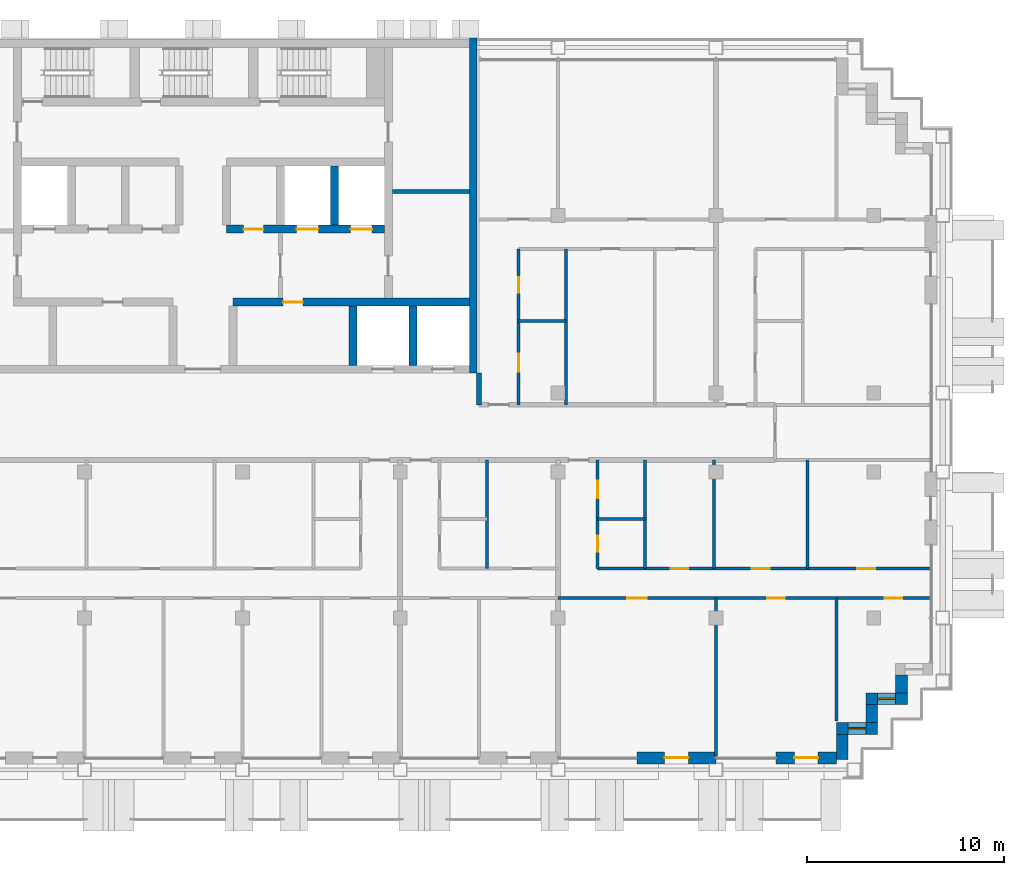
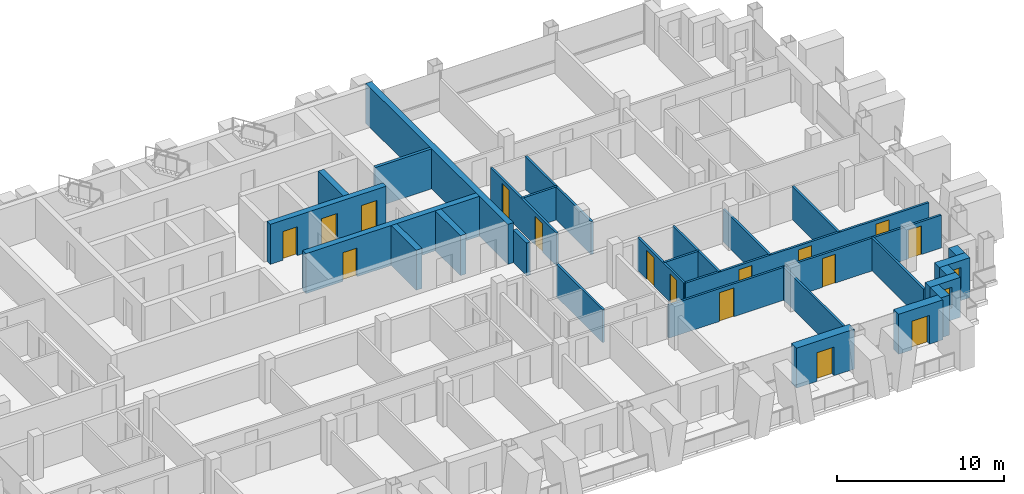
# One storey, part 10 of 16: 28 walls, 16 doors, 2 windows, 18 openings.
"""IFC4 building model written with IfcOpenShell, lengths in metres."""

from ifc_helpers import new_model, si_unit, direction, frame, frame_2d, origin, place, context, subcontext, project, spatial, rectangle, extrude, material, layer, layer_set, type_object, element, fill, save


model = new_model("IFC4")

# Units and contexts
model_context = context("Model", 3, precision=1e-05, world=origin(), true_north=direction((0.0, 1.0)))
body_context = subcontext(model_context, "Body", "Model", "MODEL_VIEW")
ifc_project = project(units=[si_unit("LENGTHUNIT", "METRE"), si_unit("AREAUNIT", "SQUARE_METRE"), si_unit("VOLUMEUNIT", "CUBIC_METRE"), si_unit("PLANEANGLEUNIT", "RADIAN"), si_unit("MASSUNIT", "GRAM", prefix="KILO")], contexts=[model_context])

# Site, building, storey
site_placement = place(None, origin())
site = spatial("IfcSite", under=ifc_project, at=site_placement, CompositionType="ELEMENT")
building_placement = place(site_placement, origin())
building = spatial("IfcBuilding", under=site, at=building_placement, Name="Vidyagriha Tower", CompositionType="ELEMENT")
storey_placement = place(building_placement, frame((0.0, 0.0, 184.5)))
storey = spatial("IfcBuildingStorey", under=building, at=storey_placement, Name="L48", CompositionType="ELEMENT", Elevation=184.5)

# Wall, opening, door
ifc_material_1 = material(Name="Precast concrete C40/50 with brick facing", Category="concrete")
ifc_layer_1 = layer(ifc_material_1, 0.60009765625)
ifc_layer_set_1 = layer_set([ifc_layer_1], Name="Precast concrete C40/50 with brick facing")
wall_type_1 = type_object("IfcWallType", Name="Brick-faced precast wall 600", PredefinedType="STANDARD", material=ifc_layer_set_1)
wall_1_placement = place(storey_placement, frame((22.0, -16.5, 0.0)))
wall_1 = element("IfcWall", 1, at=wall_1_placement, inside=storey, type_object=wall_type_1, Name="Brick door bay wall L48 R23.12", PredefinedType="STANDARD", context=body_context, shape_type="SweptSolid", body=[
    extrude(rectangle(XDim=4.0, YDim=0.60009765625, at=frame_2d((2.0, 0.0))), origin(), (0.0, 0.0, 1.0), 2.919921875),
])
opening_1_placement = place(wall_1_placement, frame((1.39990234375, 0.0, 0.0)))
opening_1 = element("IfcOpeningElement", 2, at=opening_1_placement, cuts=wall_1, Name="Opening D48-74", PredefinedType="OPENING", context=body_context, shape_type="SweptSolid", body=[
    extrude(rectangle(XDim=1.199951171875, YDim=2.10009765625, at=frame_2d((0.60009765625, 1.050048828125))), frame((0.0, 0.31005859375, 0.0), z_axis=(0.0, -1.0, 0.0), x_axis=(1.0, 0.0, 0.0)), (0.0, 0.0, 1.0), 0.6201171875),
])
ifc_material_2 = material(Name="Aluminium framed glazed sliding door", Category="aluminium")
door_type_1 = type_object("IfcDoorType", Name="Balcony sliding door 1200x2100", OperationType="NOTDEFINED", PredefinedType="DOOR", material=ifc_material_2)
door_1_placement = place(opening_1_placement, origin())
door_1 = element("IfcDoor", 3, at=door_1_placement, inside=storey, type_object=door_type_1, Name="Door D48-74", OperationType="SLIDING_TO_LEFT", OverallHeight=2.10009765625, OverallWidth=1.199951171875, PredefinedType="DOOR", context=body_context, shape_type="SweptSolid", body=[
    extrude(rectangle(XDim=1.199951171875, YDim=2.10009765625, at=frame_2d((0.60009765625, 1.050048828125))), frame((0.0, 0.02490234375, 0.0), z_axis=(0.0, -1.0, 0.0), x_axis=(1.0, 0.0, 0.0)), (0.0, 0.0, 1.0), 0.050048828125),
])
fill(opening_1, door_1)

wall_2_placement = place(storey_placement, frame((29.050048828125, -16.5, 0.0)))
wall_2 = element("IfcWall", 4, at=wall_2_placement, inside=storey, type_object=wall_type_1, Name="Brick door bay wall L48 R23.14", PredefinedType="STANDARD", context=body_context, shape_type="SweptSolid", body=[
    extrude(rectangle(XDim=3.050048828125, YDim=0.60009765625, at=frame_2d((1.52490234375, 0.0))), origin(), (0.0, 0.0, 1.0), 2.919921875),
])
opening_2_placement = place(wall_2_placement, frame((0.925048828125, 0.0, 0.0)))
opening_2 = element("IfcOpeningElement", 5, at=opening_2_placement, cuts=wall_2, Name="Opening D48-75", PredefinedType="OPENING", context=body_context, shape_type="SweptSolid", body=[
    extrude(rectangle(XDim=1.199951171875, YDim=2.10009765625, at=frame_2d((0.60009765625, 1.050048828125))), frame((0.0, 0.31005859375, 0.0), z_axis=(0.0, -1.0, 0.0), x_axis=(1.0, 0.0, 0.0)), (0.0, 0.0, 1.0), 0.6201171875),
])
door_2_placement = place(opening_2_placement, origin())
door_2 = element("IfcDoor", 6, at=door_2_placement, inside=storey, type_object=door_type_1, Name="Door D48-75", OperationType="SLIDING_TO_LEFT", OverallHeight=2.10009765625, OverallWidth=1.199951171875, PredefinedType="DOOR", context=body_context, shape_type="SweptSolid", body=[
    extrude(rectangle(XDim=1.199951171875, YDim=2.10009765625, at=frame_2d((0.60009765625, 1.050048828125))), frame((0.0, 0.02490234375, 0.0), z_axis=(0.0, -1.0, 0.0), x_axis=(1.0, 0.0, 0.0)), (0.0, 0.0, 1.0), 0.050048828125),
])
fill(opening_2, door_2)

# Wall
wall_3_placement = place(storey_placement, frame((32.39990234375, -16.580078125, 0.0), z_axis=(0.0, 0.0, 1.0), x_axis=(0.0, 1.0, 0.0)))
element("IfcWall", 7, at=wall_3_placement, inside=storey, type_object=wall_type_1, Name="Stepped corner wall L48 R24", PredefinedType="STANDARD", context=body_context, shape_type="SweptSolid", body=[
    extrude(rectangle(XDim=1.280029296875, YDim=0.60009765625, at=frame_2d((0.64013671875, 0.0))), origin(), (0.0, 0.0, 1.0), 2.919921875),
])

# Wall, opening, window
wall_4_placement = place(storey_placement, frame((32.10009765625, -15.0, 0.0)))
wall_4 = element("IfcWall", 8, at=wall_4_placement, inside=storey, type_object=wall_type_1, Name="Stepped corner wall L48 R25", PredefinedType="STANDARD", context=body_context, shape_type="SweptSolid", body=[
    extrude(rectangle(XDim=2.099853515625, YDim=0.60009765625, at=frame_2d((1.0498046875, 0.0))), origin(), (0.0, 0.0, 1.0), 2.919921875),
])
opening_3_placement = place(wall_4_placement, frame((0.60009765625, 0.0, 0.89990234375)))
opening_3 = element("IfcOpeningElement", 9, at=opening_3_placement, cuts=wall_4, Name="Opening WN1", PredefinedType="OPENING", context=body_context, shape_type="SweptSolid", body=[
    extrude(rectangle(XDim=0.89990234375, YDim=1.5, at=frame_2d((0.449951171875, 0.75))), frame((0.0, 0.31005859375, 0.0), z_axis=(0.0, -1.0, 0.0), x_axis=(1.0, 0.0, 0.0)), (0.0, 0.0, 1.0), 0.6201171875),
])
ifc_material_3 = material(Name="Aluminium and glass window", Category="aluminium")
window_type = type_object("IfcWindowType", Name="Reveal window 900x1500", PartitioningType="NOTDEFINED", PredefinedType="WINDOW", material=ifc_material_3)
window_1_placement = place(opening_3_placement, origin())
window_1 = element("IfcWindow", 10, at=window_1_placement, inside=storey, type_object=window_type, Name="Reveal window L48 R25", OverallHeight=1.5, OverallWidth=0.89990234375, PartitioningType="SINGLE_PANEL", PredefinedType="WINDOW", context=body_context, shape_type="SweptSolid", body=[
    extrude(rectangle(XDim=0.89990234375, YDim=1.5, at=frame_2d((0.449951171875, 0.75))), frame((0.0, 0.030029296875, 0.0), z_axis=(0.0, -1.0, 0.0), x_axis=(1.0, 0.0, 0.0)), (0.0, 0.0, 1.0), 0.06005859375),
])
fill(opening_3, window_1)

# Wall
wall_5_placement = place(storey_placement, frame((33.89990234375, -14.699951171875, 0.0), z_axis=(0.0, 0.0, 1.0), x_axis=(0.0, 1.0, 0.0)))
element("IfcWall", 11, at=wall_5_placement, inside=storey, type_object=wall_type_1, Name="Stepped corner wall L48 R26", PredefinedType="STANDARD", context=body_context, shape_type="SweptSolid", body=[
    extrude(rectangle(XDim=0.89990234375, YDim=0.60009765625, at=frame_2d((0.449951171875, 0.0))), origin(), (0.0, 0.0, 1.0), 2.919921875),
])

# Wall, opening, window
wall_6_placement = place(storey_placement, frame((33.60009765625, -13.5, 0.0)))
wall_6 = element("IfcWall", 12, at=wall_6_placement, inside=storey, type_object=wall_type_1, Name="Stepped corner wall L48 R27", PredefinedType="STANDARD", context=body_context, shape_type="SweptSolid", body=[
    extrude(rectangle(XDim=2.099853515625, YDim=0.60009765625, at=frame_2d((1.0498046875, 0.0))), origin(), (0.0, 0.0, 1.0), 2.919921875),
])
opening_4_placement = place(wall_6_placement, frame((0.60009765625, 0.0, 0.89990234375)))
opening_4 = element("IfcOpeningElement", 13, at=opening_4_placement, cuts=wall_6, Name="Opening WN1", PredefinedType="OPENING", context=body_context, shape_type="SweptSolid", body=[
    extrude(rectangle(XDim=0.89990234375, YDim=1.5, at=frame_2d((0.449951171875, 0.75))), frame((0.0, 0.31005859375, 0.0), z_axis=(0.0, -1.0, 0.0), x_axis=(1.0, 0.0, 0.0)), (0.0, 0.0, 1.0), 0.6201171875),
])
window_2_placement = place(opening_4_placement, origin())
window_2 = element("IfcWindow", 14, at=window_2_placement, inside=storey, type_object=window_type, Name="Reveal window L48 R27", OverallHeight=1.5, OverallWidth=0.89990234375, PartitioningType="SINGLE_PANEL", PredefinedType="WINDOW", context=body_context, shape_type="SweptSolid", body=[
    extrude(rectangle(XDim=0.89990234375, YDim=1.5, at=frame_2d((0.449951171875, 0.75))), frame((0.0, 0.030029296875, 0.0), z_axis=(0.0, -1.0, 0.0), x_axis=(1.0, 0.0, 0.0)), (0.0, 0.0, 1.0), 0.06005859375),
])
fill(opening_4, window_2)

# Walls
wall_7_placement = place(storey_placement, frame((35.39990234375, -13.199951171875, 0.0), z_axis=(0.0, 0.0, 1.0), x_axis=(0.0, 1.0, 0.0)))
element("IfcWall", 15, at=wall_7_placement, inside=storey, type_object=wall_type_1, Name="Stepped corner wall L48 R28", PredefinedType="STANDARD", context=body_context, shape_type="SweptSolid", body=[
    extrude(rectangle(XDim=0.89990234375, YDim=0.60009765625, at=frame_2d((0.449951171875, 0.0))), origin(), (0.0, 0.0, 1.0), 2.919921875),
])
ifc_material_4 = material(Name="Concrete C60/75", Category="concrete")
ifc_layer_2 = layer(ifc_material_4, 0.39990234375)
ifc_layer_set_2 = layer_set([ifc_layer_2], Name="Concrete C60/75")
wall_type_2 = type_object("IfcWallType", Name="Core shear wall 400 mm", PredefinedType="SHEAR", material=ifc_layer_set_2)
wall_8_placement = place(storey_placement, frame((13.699951171875, 3.0, 0.0), z_axis=(0.0, 0.0, 1.0), x_axis=(0.0, 1.0, 0.0)))
element("IfcWall", 16, at=wall_8_placement, inside=storey, type_object=wall_type_2, Name="Core east wall", PredefinedType="SHEAR", context=body_context, shape_type="SweptSolid", body=[
    extrude(rectangle(XDim=17.0, YDim=0.39990234375, at=frame_2d((8.5, 0.0))), origin(), (0.0, 0.0, 1.0), 2.919921875),
])

# Wall, opening, door
wall_9_placement = place(storey_placement, frame((1.522216796875, 6.60009765625, 0.0)))
wall_9 = element("IfcWall", 17, at=wall_9_placement, inside=storey, type_object=wall_type_2, Name="Core lobby south wall east", PredefinedType="SHEAR", context=body_context, shape_type="SweptSolid", body=[
    extrude(rectangle(XDim=11.977783203125, YDim=0.39990234375, at=frame_2d((5.98876953125, 0.0))), origin(), (0.0, 0.0, 1.0), 2.919921875),
])
opening_5_placement = place(wall_9_placement, frame((2.54443359375, 0.0, 0.0)))
opening_5 = element("IfcOpeningElement", 18, at=opening_5_placement, cuts=wall_9, Name="Opening D48-03", PredefinedType="OPENING", context=body_context, shape_type="SweptSolid", body=[
    extrude(rectangle(XDim=1.0, YDim=2.10009765625, at=frame_2d((0.5, 1.050048828125))), frame((0.0, 0.2099609375, 0.0), z_axis=(0.0, -1.0, 0.0), x_axis=(1.0, 0.0, 0.0)), (0.0, 0.0, 1.0), 0.419921875),
])
ifc_material_5 = material(Name="Hollow metal door leaf")
door_type_2 = type_object("IfcDoorType", Name="Core room door 1000 x 2100 mm EI 60", OperationType="NOTDEFINED", PredefinedType="DOOR", material=ifc_material_5)
door_3_placement = place(opening_5_placement, origin())
door_3 = element("IfcDoor", 19, at=door_3_placement, inside=storey, type_object=door_type_2, Name="Door Mechanical Riser Room 48.02", OperationType="SINGLE_SWING_RIGHT", OverallHeight=2.10009765625, OverallWidth=1.0, PredefinedType="DOOR", context=body_context, shape_type="SweptSolid", body=[
    extrude(rectangle(XDim=1.0, YDim=2.10009765625, at=frame_2d((0.5, 1.050048828125))), frame((0.0, 0.02490234375, 0.0), z_axis=(0.0, -1.0, 0.0), x_axis=(1.0, 0.0, 0.0)), (0.0, 0.0, 1.0), 0.050048828125),
])
fill(opening_5, door_3)

# Walls
for number, where, z_axis, x_axis, name in (
    (20, (7.611083984375, 3.39990234375, 0.0), (0.0, 0.0, 1.0), (0.0, 1.0, 0.0), "Core bay wall S7"),
    (21, (10.655517578125, 3.39990234375, 0.0), (0.0, 0.0, 1.0), (0.0, 1.0, 0.0), "Core bay wall S8"),
):
    element("IfcWall", number, at=place(storey_placement, frame(where, z_axis=z_axis, x_axis=x_axis)), inside=storey, type_object=wall_type_2, Name=name, PredefinedType="SHEAR", context=body_context, shape_type="SweptSolid", body=[
        extrude(rectangle(XDim=3.0, YDim=0.39990234375, at=frame_2d((1.5, 0.0))), origin(), (0.0, 0.0, 1.0), 2.919921875),
    ])

# Wall, openings, doors
wall_10_placement = place(storey_placement, frame((1.199951171875, 10.300048828125, 0.0)))
wall_10 = element("IfcWall", 22, at=wall_10_placement, inside=storey, type_object=wall_type_2, Name="Core row N front wall", PredefinedType="SHEAR", context=body_context, shape_type="SweptSolid", body=[
    extrude(rectangle(XDim=8.0, YDim=0.39990234375, at=frame_2d((4.0, 0.0))), origin(), (0.0, 0.0, 1.0), 2.919921875),
])
opening_6_placement = place(wall_10_placement, frame((3.550048828125, 0.0, 0.0)))
opening_6 = element("IfcOpeningElement", 23, at=opening_6_placement, cuts=wall_10, Name="Opening LD48-04", PredefinedType="OPENING", context=body_context, shape_type="SweptSolid", body=[
    extrude(rectangle(XDim=1.10009765625, YDim=2.10009765625, at=frame_2d((0.550048828125, 1.050048828125))), frame((0.0, 0.2099609375, 0.0), z_axis=(0.0, -1.0, 0.0), x_axis=(1.0, 0.0, 0.0)), (0.0, 0.0, 1.0), 0.419921875),
])
opening_7_placement = place(wall_10_placement, frame((6.283203125, 0.0, 0.0)))
opening_7 = element("IfcOpeningElement", 24, at=opening_7_placement, cuts=wall_10, Name="Opening LD48-05", PredefinedType="OPENING", context=body_context, shape_type="SweptSolid", body=[
    extrude(rectangle(XDim=1.10009765625, YDim=2.10009765625, at=frame_2d((0.550048828125, 1.050048828125))), frame((0.0, 0.2099609375, 0.0), z_axis=(0.0, -1.0, 0.0), x_axis=(1.0, 0.0, 0.0)), (0.0, 0.0, 1.0), 0.419921875),
])
opening_8_placement = place(wall_10_placement, frame((0.86669921875, 0.0, 0.0)))
opening_8 = element("IfcOpeningElement", 25, at=opening_8_placement, cuts=wall_10, Name="Opening D48-06", PredefinedType="OPENING", context=body_context, shape_type="SweptSolid", body=[
    extrude(rectangle(XDim=1.0, YDim=2.10009765625, at=frame_2d((0.5, 1.050048828125))), frame((0.0, 0.2099609375, 0.0), z_axis=(0.0, -1.0, 0.0), x_axis=(1.0, 0.0, 0.0)), (0.0, 0.0, 1.0), 0.419921875),
])
door_4_placement = place(opening_8_placement, frame((1.0, 0.0, 0.0), z_axis=(0.0, 0.0, 1.0), x_axis=(-1.0, 0.0, 0.0)))
door_4 = element("IfcDoor", 26, at=door_4_placement, inside=storey, type_object=door_type_2, Name="Door Mechanical Riser Room 48.16", OperationType="SINGLE_SWING_LEFT", OverallHeight=2.10009765625, OverallWidth=1.0, PredefinedType="DOOR", context=body_context, shape_type="SweptSolid", body=[
    extrude(rectangle(XDim=1.0, YDim=2.10009765625, at=frame_2d((0.5, 1.050048828125))), frame((0.0, 0.02490234375, 0.0), z_axis=(0.0, -1.0, 0.0), x_axis=(1.0, 0.0, 0.0)), (0.0, 0.0, 1.0), 0.050048828125),
])
fill(opening_8, door_4)
ifc_material_6 = material(Name="Stainless steel sliding door panel", Category="steel")
door_type_3 = type_object("IfcDoorType", Name="Lift landing door 1100 x 2100 mm EI 90", OperationType="NOTDEFINED", PredefinedType="DOOR", material=ifc_material_6)
door_5_placement = place(opening_6_placement, origin())
door_5 = element("IfcDoor", 27, at=door_5_placement, inside=storey, type_object=door_type_3, Name="Landing door FF1 L48", OperationType="SLIDING_TO_LEFT", OverallHeight=2.10009765625, OverallWidth=1.10009765625, PredefinedType="DOOR", context=body_context, shape_type="SweptSolid", body=[
    extrude(rectangle(XDim=1.10009765625, YDim=2.10009765625, at=frame_2d((0.550048828125, 1.050048828125))), frame((0.0, 0.02490234375, 0.0), z_axis=(0.0, -1.0, 0.0), x_axis=(1.0, 0.0, 0.0)), (0.0, 0.0, 1.0), 0.050048828125),
])
fill(opening_6, door_5)
door_6_placement = place(opening_7_placement, origin())
door_6 = element("IfcDoor", 28, at=door_6_placement, inside=storey, type_object=door_type_3, Name="Landing door FF2 L48", OperationType="SLIDING_TO_LEFT", OverallHeight=2.10009765625, OverallWidth=1.10009765625, PredefinedType="DOOR", context=body_context, shape_type="SweptSolid", body=[
    extrude(rectangle(XDim=1.10009765625, YDim=2.10009765625, at=frame_2d((0.550048828125, 1.050048828125))), frame((0.0, 0.02490234375, 0.0), z_axis=(0.0, -1.0, 0.0), x_axis=(1.0, 0.0, 0.0)), (0.0, 0.0, 1.0), 0.050048828125),
])
fill(opening_7, door_6)

# Walls
wall_11_placement = place(storey_placement, frame((6.666748046875, 10.5, 0.0), z_axis=(0.0, 0.0, 1.0), x_axis=(0.0, 1.0, 0.0)))
element("IfcWall", 29, at=wall_11_placement, inside=storey, type_object=wall_type_2, Name="Core bay wall N6", PredefinedType="SHEAR", context=body_context, shape_type="SweptSolid", body=[
    extrude(rectangle(XDim=3.0, YDim=0.39990234375, at=frame_2d((1.5, 0.0))), origin(), (0.0, 0.0, 1.0), 2.919921875),
])
ifc_material_7 = material(Name="Fired clay brick masonry", Category="masonry")
ifc_layer_3 = layer(ifc_material_7, 0.25)
ifc_layer_set_3 = layer_set([ifc_layer_3], Name="Fired clay brick masonry")
wall_type_3 = type_object("IfcWallType", Name="Fired clay brick corridor wall 250", PredefinedType="PARTITIONING", material=ifc_layer_set_3)
wall_12_placement = place(storey_placement, frame((14.0, 1.39990234375, 0.0), z_axis=(0.0, 0.0, 1.0), x_axis=(0.0, 1.0, 0.0)))
element("IfcWall", 30, at=wall_12_placement, inside=storey, type_object=wall_type_3, Name="Wall all-L48-w117", PredefinedType="PARTITIONING", context=body_context, shape_type="SweptSolid", body=[
    extrude(rectangle(XDim=1.60009765625, YDim=0.25, at=frame_2d((0.800048828125, 0.0))), origin(), (0.0, 0.0, 1.0), 2.39990234375),
])
ifc_material_8 = material(Name="Gypsum board partition")
ifc_layer_4 = layer(ifc_material_8, 0.14990234375)
ifc_layer_set_4 = layer_set([ifc_layer_4], Name="Gypsum board partition")
wall_type_4 = type_object("IfcWallType", Name="Gypsum board partition 150", PredefinedType="PARTITIONING", material=ifc_layer_set_4)
wall_13_placement = place(storey_placement, frame((14.39990234375, -1.39990234375, 0.0), z_axis=(0.0, 0.0, 1.0), x_axis=(0.0, -1.0, 0.0)))
element("IfcWall", 31, at=wall_13_placement, inside=storey, type_object=wall_type_4, Name="Wall all-L48-w040", PredefinedType="PARTITIONING", context=body_context, shape_type="SweptSolid", body=[
    extrude(rectangle(XDim=5.5, YDim=0.14990234375, at=frame_2d((2.75, 0.0))), origin(), (0.0, 0.0, 1.0), 2.39990234375),
])
wall_14_placement = place(storey_placement, frame((22.39990234375, -4.39990234375, 0.0), z_axis=(0.0, 0.0, 1.0), x_axis=(-1.0, 0.0, 0.0)))
element("IfcWall", 32, at=wall_14_placement, inside=storey, type_object=wall_type_4, Name="Wall all-L48-w052", PredefinedType="PARTITIONING", context=body_context, shape_type="SweptSolid", body=[
    extrude(rectangle(XDim=2.39990234375, YDim=0.14990234375, at=frame_2d((1.199951171875, 0.0))), origin(), (0.0, 0.0, 1.0), 2.39990234375),
])
for number, where, z_axis, x_axis, name in (
    (33, (22.39990234375, -1.39990234375, 0.0), (0.0, 0.0, 1.0), (0.0, -1.0, 0.0), "Wall all-L48-w053"),
    (34, (25.89990234375, -1.39990234375, 0.0), (0.0, 0.0, 1.0), (0.0, -1.0, 0.0), "Wall all-L48-w054"),
    (35, (30.64990234375, -1.39990234375, 0.0), (0.0, 0.0, 1.0), (0.0, -1.0, 0.0), "Wall all-L48-w055"),
):
    element("IfcWall", number, at=place(storey_placement, frame(where, z_axis=z_axis, x_axis=x_axis)), inside=storey, type_object=wall_type_4, Name=name, PredefinedType="PARTITIONING", context=body_context, shape_type="SweptSolid", body=[
        extrude(rectangle(XDim=5.5, YDim=0.14990234375, at=frame_2d((2.75, 0.0))), origin(), (0.0, 0.0, 1.0), 2.39990234375),
    ])

# Wall, openings, doors
wall_15_placement = place(storey_placement, frame((20.0, -6.89990234375, 0.0)))
wall_15 = element("IfcWall", 36, at=wall_15_placement, inside=storey, type_object=wall_type_4, Name="Wall all-L48-w056", PredefinedType="PARTITIONING", context=body_context, shape_type="SweptSolid", body=[
    extrude(rectangle(XDim=16.820068359375, YDim=0.14990234375, at=frame_2d((8.41015625, 0.0))), origin(), (0.0, 0.0, 1.0), 2.39990234375),
])
opening_9_placement = place(wall_15_placement, frame((3.699951171875, 0.0, 0.0)))
opening_9 = element("IfcOpeningElement", 37, at=opening_9_placement, cuts=wall_15, Name="Opening D48-40", PredefinedType="OPENING", context=body_context, shape_type="SweptSolid", body=[
    extrude(rectangle(XDim=0.89990234375, YDim=2.10009765625, at=frame_2d((0.449951171875, 1.050048828125))), frame((0.0, 0.0849609375, 0.0), z_axis=(0.0, -1.0, 0.0), x_axis=(1.0, 0.0, 0.0)), (0.0, 0.0, 1.0), 0.169921875),
])
opening_10_placement = place(wall_15_placement, frame((7.824951171875, 0.0, 0.0)))
opening_10 = element("IfcOpeningElement", 38, at=opening_10_placement, cuts=wall_15, Name="Opening D48-41", PredefinedType="OPENING", context=body_context, shape_type="SweptSolid", body=[
    extrude(rectangle(XDim=0.89990234375, YDim=2.10009765625, at=frame_2d((0.449951171875, 1.050048828125))), frame((0.0, 0.0849609375, 0.0), z_axis=(0.0, -1.0, 0.0), x_axis=(1.0, 0.0, 0.0)), (0.0, 0.0, 1.0), 0.169921875),
])
opening_11_placement = place(wall_15_placement, frame((13.175048828125, 0.0, 0.0)))
opening_11 = element("IfcOpeningElement", 39, at=opening_11_placement, cuts=wall_15, Name="Opening D48-42", PredefinedType="OPENING", context=body_context, shape_type="SweptSolid", body=[
    extrude(rectangle(XDim=0.89990234375, YDim=2.10009765625, at=frame_2d((0.449951171875, 1.050048828125))), frame((0.0, 0.0849609375, 0.0), z_axis=(0.0, -1.0, 0.0), x_axis=(1.0, 0.0, 0.0)), (0.0, 0.0, 1.0), 0.169921875),
])
ifc_material_9 = material(Name="Timber door leaf", Category="wood")
door_type_4 = type_object("IfcDoorType", Name="Room door 900x2100", OperationType="NOTDEFINED", PredefinedType="DOOR", material=ifc_material_9)
door_7_placement = place(opening_9_placement, origin())
door_7 = element("IfcDoor", 40, at=door_7_placement, inside=storey, type_object=door_type_4, Name="Door D48-40", OperationType="SINGLE_SWING_RIGHT", OverallHeight=2.10009765625, OverallWidth=0.89990234375, PredefinedType="DOOR", context=body_context, shape_type="SweptSolid", body=[
    extrude(rectangle(XDim=0.89990234375, YDim=2.10009765625, at=frame_2d((0.449951171875, 1.050048828125))), frame((0.0, 0.02490234375, 0.0), z_axis=(0.0, -1.0, 0.0), x_axis=(1.0, 0.0, 0.0)), (0.0, 0.0, 1.0), 0.050048828125),
])
fill(opening_9, door_7)
door_8_placement = place(opening_10_placement, origin())
door_8 = element("IfcDoor", 41, at=door_8_placement, inside=storey, type_object=door_type_4, Name="Door D48-41", OperationType="SINGLE_SWING_RIGHT", OverallHeight=2.10009765625, OverallWidth=0.89990234375, PredefinedType="DOOR", context=body_context, shape_type="SweptSolid", body=[
    extrude(rectangle(XDim=0.89990234375, YDim=2.10009765625, at=frame_2d((0.449951171875, 1.050048828125))), frame((0.0, 0.02490234375, 0.0), z_axis=(0.0, -1.0, 0.0), x_axis=(1.0, 0.0, 0.0)), (0.0, 0.0, 1.0), 0.050048828125),
])
fill(opening_10, door_8)
door_9_placement = place(opening_11_placement, origin())
door_9 = element("IfcDoor", 42, at=door_9_placement, inside=storey, type_object=door_type_4, Name="Door D48-42", OperationType="SINGLE_SWING_RIGHT", OverallHeight=2.10009765625, OverallWidth=0.89990234375, PredefinedType="DOOR", context=body_context, shape_type="SweptSolid", body=[
    extrude(rectangle(XDim=0.89990234375, YDim=2.10009765625, at=frame_2d((0.449951171875, 1.050048828125))), frame((0.0, 0.02490234375, 0.0), z_axis=(0.0, -1.0, 0.0), x_axis=(1.0, 0.0, 0.0)), (0.0, 0.0, 1.0), 0.050048828125),
])
fill(opening_11, door_9)

wall_16_placement = place(storey_placement, frame((36.820068359375, -8.39990234375, 0.0), z_axis=(0.0, 0.0, 1.0), x_axis=(-1.0, 0.0, 0.0)))
wall_16 = element("IfcWall", 43, at=wall_16_placement, inside=storey, type_object=wall_type_4, Name="Wall all-L48-w060", PredefinedType="PARTITIONING", context=body_context, shape_type="SweptSolid", body=[
    extrude(rectangle(XDim=18.820068359375, YDim=0.14990234375, at=frame_2d((9.41015625, 0.0))), origin(), (0.0, 0.0, 1.0), 2.39990234375),
])
opening_12_placement = place(wall_16_placement, frame((14.320068359375, 0.0, 0.0)))
opening_12 = element("IfcOpeningElement", 44, at=opening_12_placement, cuts=wall_16, Name="Opening D48-43", PredefinedType="OPENING", context=body_context, shape_type="SweptSolid", body=[
    extrude(rectangle(XDim=1.0, YDim=2.10009765625, at=frame_2d((0.5, 1.050048828125))), frame((0.0, 0.0849609375, 0.0), z_axis=(0.0, -1.0, 0.0), x_axis=(1.0, 0.0, 0.0)), (0.0, 0.0, 1.0), 0.169921875),
])
opening_13_placement = place(wall_16_placement, frame((7.320068359375, 0.0, 0.0)))
opening_13 = element("IfcOpeningElement", 45, at=opening_13_placement, cuts=wall_16, Name="Opening D48-44", PredefinedType="OPENING", context=body_context, shape_type="SweptSolid", body=[
    extrude(rectangle(XDim=0.89990234375, YDim=2.10009765625, at=frame_2d((0.449951171875, 1.050048828125))), frame((0.0, 0.0849609375, 0.0), z_axis=(0.0, -1.0, 0.0), x_axis=(1.0, 0.0, 0.0)), (0.0, 0.0, 1.0), 0.169921875),
])
opening_14_placement = place(wall_16_placement, frame((1.373046875, 0.0, 0.0)))
opening_14 = element("IfcOpeningElement", 46, at=opening_14_placement, cuts=wall_16, Name="Opening D48-45", PredefinedType="OPENING", context=body_context, shape_type="SweptSolid", body=[
    extrude(rectangle(XDim=0.89990234375, YDim=2.10009765625, at=frame_2d((0.449951171875, 1.050048828125))), frame((0.0, 0.0849609375, 0.0), z_axis=(0.0, -1.0, 0.0), x_axis=(1.0, 0.0, 0.0)), (0.0, 0.0, 1.0), 0.169921875),
])
ifc_material_10 = material(Name="Timber door leaf", Category="wood")
door_type_5 = type_object("IfcDoorType", Name="Room door 1000x2100", OperationType="NOTDEFINED", PredefinedType="DOOR", material=ifc_material_10)
door_10_placement = place(opening_12_placement, origin())
door_10 = element("IfcDoor", 47, at=door_10_placement, inside=storey, type_object=door_type_5, Name="Door D48-43", OperationType="SINGLE_SWING_RIGHT", OverallHeight=2.10009765625, OverallWidth=1.0, PredefinedType="DOOR", context=body_context, shape_type="SweptSolid", body=[
    extrude(rectangle(XDim=1.0, YDim=2.10009765625, at=frame_2d((0.5, 1.050048828125))), frame((0.0, 0.02490234375, 0.0), z_axis=(0.0, -1.0, 0.0), x_axis=(1.0, 0.0, 0.0)), (0.0, 0.0, 1.0), 0.050048828125),
])
fill(opening_12, door_10)
door_11_placement = place(opening_13_placement, origin())
door_11 = element("IfcDoor", 48, at=door_11_placement, inside=storey, type_object=door_type_4, Name="Door D48-44", OperationType="SINGLE_SWING_RIGHT", OverallHeight=2.10009765625, OverallWidth=0.89990234375, PredefinedType="DOOR", context=body_context, shape_type="SweptSolid", body=[
    extrude(rectangle(XDim=0.89990234375, YDim=2.10009765625, at=frame_2d((0.449951171875, 1.050048828125))), frame((0.0, 0.02490234375, 0.0), z_axis=(0.0, -1.0, 0.0), x_axis=(1.0, 0.0, 0.0)), (0.0, 0.0, 1.0), 0.050048828125),
])
fill(opening_13, door_11)
door_12_placement = place(opening_14_placement, origin())
door_12 = element("IfcDoor", 49, at=door_12_placement, inside=storey, type_object=door_type_4, Name="Door D48-45", OperationType="SINGLE_SWING_LEFT", OverallHeight=2.10009765625, OverallWidth=0.89990234375, PredefinedType="DOOR", context=body_context, shape_type="SweptSolid", body=[
    extrude(rectangle(XDim=0.89990234375, YDim=2.10009765625, at=frame_2d((0.449951171875, 1.050048828125))), frame((0.0, 0.02490234375, 0.0), z_axis=(0.0, -1.0, 0.0), x_axis=(1.0, 0.0, 0.0)), (0.0, 0.0, 1.0), 0.050048828125),
])
fill(opening_14, door_12)

# Walls
wall_17_placement = place(storey_placement, frame((26.0, -8.39990234375, 0.0), z_axis=(0.0, 0.0, 1.0), x_axis=(0.0, -1.0, 0.0)))
element("IfcWall", 50, at=wall_17_placement, inside=storey, type_object=wall_type_4, Name="Wall all-L48-w064", PredefinedType="PARTITIONING", context=body_context, shape_type="SweptSolid", body=[
    extrude(rectangle(XDim=8.010009765625, YDim=0.14990234375, at=frame_2d((4.0048828125, 0.0))), origin(), (0.0, 0.0, 1.0), 2.39990234375),
])
wall_18_placement = place(storey_placement, frame((32.10009765625, -8.39990234375, 0.0), z_axis=(0.0, 0.0, 1.0), x_axis=(0.0, -1.0, 0.0)))
element("IfcWall", 51, at=wall_18_placement, inside=storey, type_object=wall_type_4, Name="Wall all-L48-w065", PredefinedType="PARTITIONING", context=body_context, shape_type="SweptSolid", body=[
    extrude(rectangle(XDim=6.22021484375, YDim=0.14990234375, at=frame_2d((3.110107421875, 0.0))), origin(), (0.0, 0.0, 1.0), 2.39990234375),
])
wall_19_placement = place(storey_placement, frame((16.0, 5.64990234375, 0.0)))
element("IfcWall", 52, at=wall_19_placement, inside=storey, type_object=wall_type_4, Name="Wall all-L48-w087", PredefinedType="PARTITIONING", context=body_context, shape_type="SweptSolid", body=[
    extrude(rectangle(XDim=2.39990234375, YDim=0.14990234375, at=frame_2d((1.199951171875, 0.0))), origin(), (0.0, 0.0, 1.0), 2.39990234375),
])
wall_20_placement = place(storey_placement, frame((18.39990234375, 9.300048828125, 0.0), z_axis=(0.0, 0.0, 1.0), x_axis=(0.0, -1.0, 0.0)))
element("IfcWall", 53, at=wall_20_placement, inside=storey, type_object=wall_type_4, Name="Wall all-L48-w088", PredefinedType="PARTITIONING", context=body_context, shape_type="SweptSolid", body=[
    extrude(rectangle(XDim=7.900146484375, YDim=0.14990234375, at=frame_2d((3.9501953125, 0.0))), origin(), (0.0, 0.0, 1.0), 2.39990234375),
])

# Wall, openings, doors
ifc_material_11 = material(Name="Moisture resistant gypsum board partition")
ifc_layer_5 = layer(ifc_material_11, 0.14990234375)
ifc_layer_set_5 = layer_set([ifc_layer_5], Name="Moisture resistant gypsum board partition")
wall_type_5 = type_object("IfcWallType", Name="Gypsum board wet-area partition 150", PredefinedType="PARTITIONING", material=ifc_layer_set_5)
wall_21_placement = place(storey_placement, frame((20.0, -1.39990234375, 0.0), z_axis=(0.0, 0.0, 1.0), x_axis=(0.0, -1.0, 0.0)))
wall_21 = element("IfcWall", 54, at=wall_21_placement, inside=storey, type_object=wall_type_5, Name="Wall all-L48-w049", PredefinedType="PARTITIONING", context=body_context, shape_type="SweptSolid", body=[
    extrude(rectangle(XDim=5.5, YDim=0.14990234375, at=frame_2d((2.75, 0.0))), origin(), (0.0, 0.0, 1.0), 2.39990234375),
])
opening_15_placement = place(wall_21_placement, frame((1.050048828125, 0.0, 0.0)))
opening_15 = element("IfcOpeningElement", 55, at=opening_15_placement, cuts=wall_21, Name="Opening D48-38", PredefinedType="OPENING", context=body_context, shape_type="SweptSolid", body=[
    extrude(rectangle(XDim=0.89990234375, YDim=2.10009765625, at=frame_2d((0.449951171875, 1.050048828125))), frame((0.0, 0.0849609375, 0.0), z_axis=(0.0, -1.0, 0.0), x_axis=(1.0, 0.0, 0.0)), (0.0, 0.0, 1.0), 0.169921875),
])
opening_16_placement = place(wall_21_placement, frame((3.85009765625, 0.0, 0.0)))
opening_16 = element("IfcOpeningElement", 56, at=opening_16_placement, cuts=wall_21, Name="Opening D48-39", PredefinedType="OPENING", context=body_context, shape_type="SweptSolid", body=[
    extrude(rectangle(XDim=0.800048828125, YDim=2.10009765625, at=frame_2d((0.39990234375, 1.050048828125))), frame((0.0, 0.0849609375, 0.0), z_axis=(0.0, -1.0, 0.0), x_axis=(1.0, 0.0, 0.0)), (0.0, 0.0, 1.0), 0.169921875),
])
ifc_material_12 = material(Name="Timber door leaf", Category="wood")
door_type_6 = type_object("IfcDoorType", Name="Bathroom door 800x2100", OperationType="NOTDEFINED", PredefinedType="DOOR", material=ifc_material_12)
door_13_placement = place(opening_16_placement, origin())
door_13 = element("IfcDoor", 57, at=door_13_placement, inside=storey, type_object=door_type_6, Name="Door D48-39", OperationType="SINGLE_SWING_RIGHT", OverallHeight=2.10009765625, OverallWidth=0.800048828125, PredefinedType="DOOR", context=body_context, shape_type="SweptSolid", body=[
    extrude(rectangle(XDim=0.800048828125, YDim=2.10009765625, at=frame_2d((0.39990234375, 1.050048828125))), frame((0.0, 0.02490234375, 0.0), z_axis=(0.0, -1.0, 0.0), x_axis=(1.0, 0.0, 0.0)), (0.0, 0.0, 1.0), 0.050048828125),
])
fill(opening_16, door_13)
ifc_material_13 = material(Name="Timber door leaf", Category="wood")
door_type_7 = type_object("IfcDoorType", Name="Kitchen door 900x2100", OperationType="NOTDEFINED", PredefinedType="DOOR", material=ifc_material_13)
door_14_placement = place(opening_15_placement, origin())
door_14 = element("IfcDoor", 58, at=door_14_placement, inside=storey, type_object=door_type_7, Name="Door D48-38", OperationType="SINGLE_SWING_LEFT", OverallHeight=2.10009765625, OverallWidth=0.89990234375, PredefinedType="DOOR", context=body_context, shape_type="SweptSolid", body=[
    extrude(rectangle(XDim=0.89990234375, YDim=2.10009765625, at=frame_2d((0.449951171875, 1.050048828125))), frame((0.0, 0.02490234375, 0.0), z_axis=(0.0, -1.0, 0.0), x_axis=(1.0, 0.0, 0.0)), (0.0, 0.0, 1.0), 0.050048828125),
])
fill(opening_15, door_14)

wall_22_placement = place(storey_placement, frame((16.0, 9.300048828125, 0.0), z_axis=(0.0, 0.0, 1.0), x_axis=(0.0, -1.0, 0.0)))
wall_22 = element("IfcWall", 59, at=wall_22_placement, inside=storey, type_object=wall_type_5, Name="Wall all-L48-w084", PredefinedType="PARTITIONING", context=body_context, shape_type="SweptSolid", body=[
    extrude(rectangle(XDim=7.900146484375, YDim=0.14990234375, at=frame_2d((3.9501953125, 0.0))), origin(), (0.0, 0.0, 1.0), 2.39990234375),
])
opening_17_placement = place(wall_22_placement, frame((5.324951171875, 0.0, 0.0)))
opening_17 = element("IfcOpeningElement", 60, at=opening_17_placement, cuts=wall_22, Name="Opening D48-53", PredefinedType="OPENING", context=body_context, shape_type="SweptSolid", body=[
    extrude(rectangle(XDim=0.89990234375, YDim=2.10009765625, at=frame_2d((0.449951171875, 1.050048828125))), frame((0.0, 0.0849609375, 0.0), z_axis=(0.0, -1.0, 0.0), x_axis=(1.0, 0.0, 0.0)), (0.0, 0.0, 1.0), 0.169921875),
])
opening_18_placement = place(wall_22_placement, frame((1.425048828125, 0.0, 0.0)))
opening_18 = element("IfcOpeningElement", 61, at=opening_18_placement, cuts=wall_22, Name="Opening D48-54", PredefinedType="OPENING", context=body_context, shape_type="SweptSolid", body=[
    extrude(rectangle(XDim=0.800048828125, YDim=2.10009765625, at=frame_2d((0.39990234375, 1.050048828125))), frame((0.0, 0.0849609375, 0.0), z_axis=(0.0, -1.0, 0.0), x_axis=(1.0, 0.0, 0.0)), (0.0, 0.0, 1.0), 0.169921875),
])
door_15_placement = place(opening_18_placement, origin())
door_15 = element("IfcDoor", 62, at=door_15_placement, inside=storey, type_object=door_type_6, Name="Door D48-54", OperationType="SINGLE_SWING_RIGHT", OverallHeight=2.10009765625, OverallWidth=0.800048828125, PredefinedType="DOOR", context=body_context, shape_type="SweptSolid", body=[
    extrude(rectangle(XDim=0.800048828125, YDim=2.10009765625, at=frame_2d((0.39990234375, 1.050048828125))), frame((0.0, 0.02490234375, 0.0), z_axis=(0.0, -1.0, 0.0), x_axis=(1.0, 0.0, 0.0)), (0.0, 0.0, 1.0), 0.050048828125),
])
fill(opening_18, door_15)
door_16_placement = place(opening_17_placement, origin())
door_16 = element("IfcDoor", 63, at=door_16_placement, inside=storey, type_object=door_type_7, Name="Door D48-53", OperationType="SINGLE_SWING_LEFT", OverallHeight=2.10009765625, OverallWidth=0.89990234375, PredefinedType="DOOR", context=body_context, shape_type="SweptSolid", body=[
    extrude(rectangle(XDim=0.89990234375, YDim=2.10009765625, at=frame_2d((0.449951171875, 1.050048828125))), frame((0.0, 0.02490234375, 0.0), z_axis=(0.0, -1.0, 0.0), x_axis=(1.0, 0.0, 0.0)), (0.0, 0.0, 1.0), 0.050048828125),
])
fill(opening_17, door_16)

# Wall
ifc_material_14 = material(Name="Blockwork 15 MPa", Category="masonry")
ifc_layer_6 = layer(ifc_material_14, 0.199951171875)
ifc_layer_set_6 = layer_set([ifc_layer_6], Name="Blockwork 15 MPa")
wall_type_6 = type_object("IfcWallType", Name="Service room partition 200 mm", PredefinedType="PARTITIONING", material=ifc_layer_set_6)
wall_23_placement = place(storey_placement, frame((9.60009765625, 12.199951171875, 0.0)))
element("IfcWall", 64, at=wall_23_placement, inside=storey, type_object=wall_type_6, Name="Core room partition E1", PredefinedType="PARTITIONING", context=body_context, shape_type="SweptSolid", body=[
    extrude(rectangle(XDim=3.89990234375, YDim=0.199951171875, at=frame_2d((1.949951171875, 0.0))), origin(), (0.0, 0.0, 1.0), 2.919921875),
])

save(model, "model.ifc")
